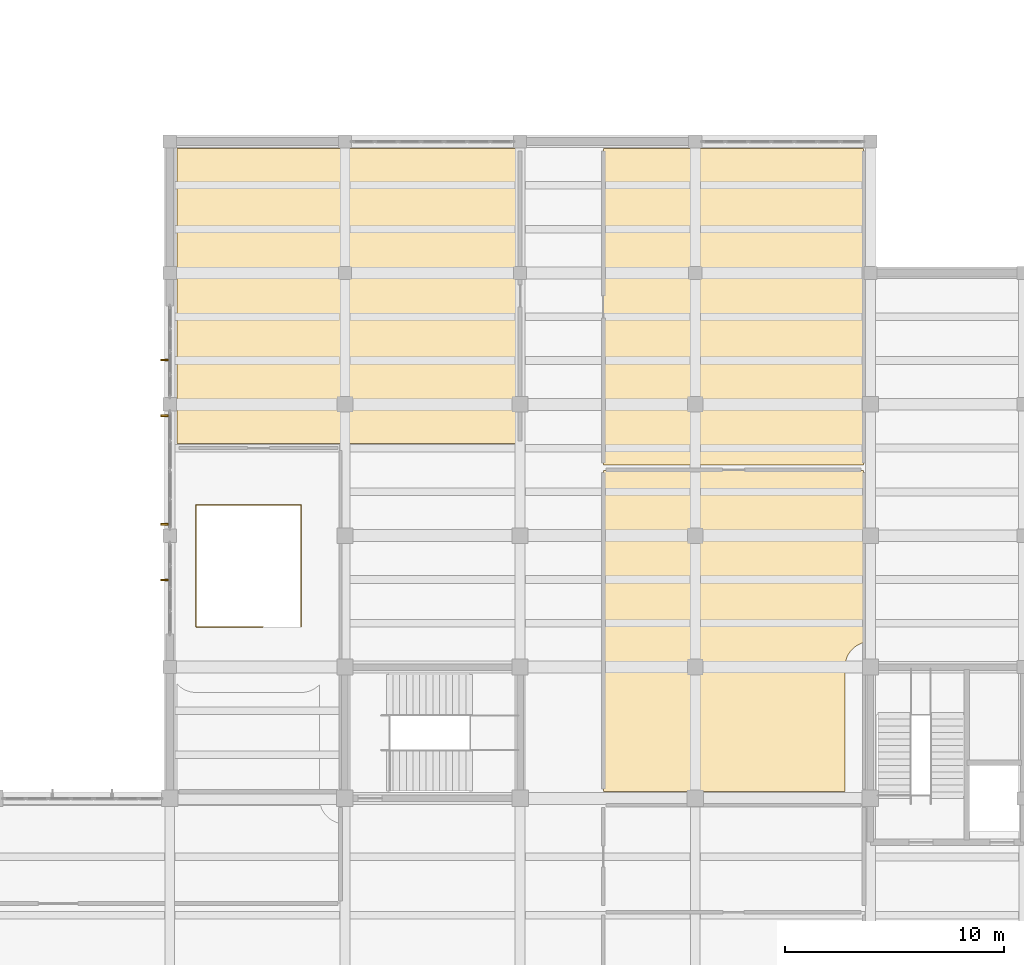
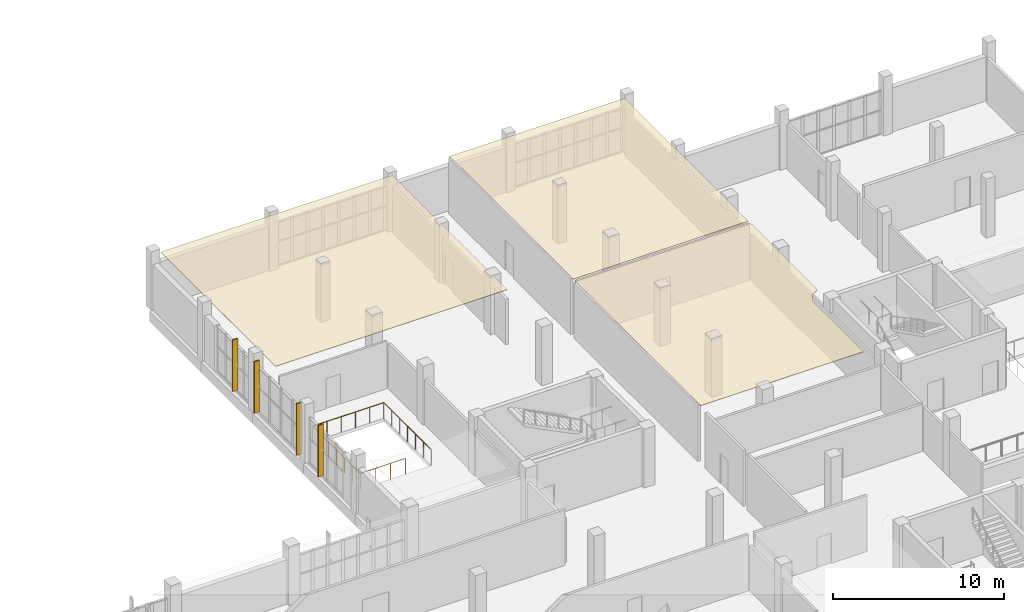
# One storey, part 80 of 85: 4 shading devices, 3 coverings, 1 railing.
"""IFC4 building model written with IfcOpenShell, lengths in metres."""

from ifc_helpers import new_model, si_unit, direction, frame, origin, origin_2d, place, context, subcontext, project, spatial, polyline, rectangle, circle, outline, extrude, material, layer, layer_set, type_object, element, save


model = new_model("IFC4")

# Units and contexts
model_context = context("Model", 3, precision=1e-05, world=origin(), true_north=direction((0.0, 1.0)))
body_context = subcontext(model_context, "Body", "Model", "MODEL_VIEW")
ifc_project = project(units=[si_unit("LENGTHUNIT", "METRE"), si_unit("AREAUNIT", "SQUARE_METRE"), si_unit("VOLUMEUNIT", "CUBIC_METRE"), si_unit("PLANEANGLEUNIT", "RADIAN"), si_unit("MASSUNIT", "GRAM", prefix="KILO")], contexts=[model_context])

# Site, building, storey
site_placement = place(None, origin())
site = spatial("IfcSite", under=ifc_project, at=site_placement, CompositionType="ELEMENT")
building_placement = place(site_placement, origin())
building = spatial("IfcBuilding", under=site, at=building_placement, Name="Solvane Community Centre", CompositionType="ELEMENT")
storey_placement = place(building_placement, frame((0.0, 0.0, 5.39990234375)))
storey = spatial("IfcBuildingStorey", under=building, at=storey_placement, Name="L01", CompositionType="ELEMENT", Elevation=5.39990234375)

# Coverings
ifc_material_1 = material(Name="Acoustic timber slat ceiling", Category="wood")
ifc_layer = layer(ifc_material_1, 0.0400390625)
ifc_layer_set = layer_set([ifc_layer], Name="Acoustic timber slat ceiling")
covering_type = type_object("IfcCoveringType", Name="Acoustic Timber Slat Suspended Ceiling", PredefinedType="CEILING", material=ifc_layer_set)
covering_1_placement = place(storey_placement, frame((0.0, 0.0, 3.955078125)))
element("IfcCovering", 1, at=covering_1_placement, inside=storey, type_object=covering_type, Name="Acoustic Ceiling L01-25", PredefinedType="CEILING", context=body_context, shape_type="SweptSolid", body=[
    extrude(outline(polyline([(108.320068359375, 46.219970703125), (108.320068359375, 59.679931640625), (123.97998046875, 59.679931640625), (123.97998046875, 46.219970703125), (108.320068359375, 46.219970703125)])), origin(), (0.0, 0.0, 1.0), 0.0400390625),
])
covering_2_placement = place(storey_placement, frame((0.0, 0.0, 3.955078125)))
element("IfcCovering", 2, at=covering_2_placement, inside=storey, type_object=covering_type, Name="Acoustic Ceiling L01-26", PredefinedType="CEILING", context=body_context, shape_type="SweptSolid", body=[
    extrude(outline(polyline([(127.820068359375, 30.320068359375), (127.820068359375, 44.97998046875), (139.679931640625, 44.97998046875), (139.679931640625, 37.114013671875), (139.61669921875, 37.0947265625), (139.601806640625, 37.08935546875), (139.51123046875, 37.0517578125), (139.4970703125, 37.045166015625), (139.410400390625, 36.998779296875), (139.39697265625, 36.99072265625), (139.3154296875, 36.936279296875), (139.302734375, 36.927001953125), (139.226806640625, 36.864501953125), (139.21533203125, 36.85400390625), (139.14599609375, 36.78466796875), (139.135498046875, 36.773193359375), (139.072998046875, 36.697265625), (139.063720703125, 36.6845703125), (139.00927734375, 36.60302734375), (139.001220703125, 36.589599609375), (138.954833984375, 36.5029296875), (138.9482421875, 36.48876953125), (138.91064453125, 36.398193359375), (138.9052734375, 36.38330078125), (138.876953125, 36.289306640625), (138.873046875, 36.274169921875), (138.85400390625, 36.177978515625), (138.8515625, 36.162353515625), (138.842041015625, 36.064697265625), (138.84130859375, 36.049072265625), (138.840087890625, 36.0), (138.840087890625, 30.320068359375), (127.820068359375, 30.320068359375)])), origin(), (0.0, 0.0, 1.0), 0.0400390625),
])
covering_3_placement = place(storey_placement, frame((0.0, 0.0, 3.955078125)))
element("IfcCovering", 3, at=covering_3_placement, inside=storey, type_object=covering_type, Name="Acoustic Ceiling L01-27", PredefinedType="CEILING", context=body_context, shape_type="SweptSolid", body=[
    extrude(outline(polyline([(127.820068359375, 45.219970703125), (127.820068359375, 59.679931640625), (139.679931640625, 59.679931640625), (139.679931640625, 45.219970703125), (127.820068359375, 45.219970703125)])), origin(), (0.0, 0.0, 1.0), 0.0400390625),
])

# Shading devices
ifc_material_2 = material(Name="Anodised bronze aluminium AW-6063 T6", Category="aluminium")
shading_device_type = type_object("IfcShadingDeviceType", Name="Art Deco Bronze Solar Fin 80x360", PredefinedType="USERDEFINED", material=ifc_material_2)
shading_device_1_placement = place(storey_placement, frame((107.760009765625, 39.97509765625, 0.14990234375), z_axis=(0.0, 0.0, 1.0), x_axis=(0.0, 1.0, 0.0)))
element("IfcShadingDevice", 4, at=shading_device_1_placement, inside=storey, type_object=shading_device_type, Name="Solar Brise-Soleil Fin 63", ObjectType="Solar Brise-Soleil Fin 63", PredefinedType="USERDEFINED", context=body_context, shape_type="SweptSolid", body=[
    extrude(rectangle(XDim=0.080078125, YDim=0.360107421875, at=origin_2d()), origin(), (0.0, 0.0, 1.0), 3.679931640625),
])
shading_device_2_placement = place(storey_placement, frame((107.760009765625, 42.52490234375, 0.14990234375), z_axis=(0.0, 0.0, 1.0), x_axis=(0.0, 1.0, 0.0)))
element("IfcShadingDevice", 5, at=shading_device_2_placement, inside=storey, type_object=shading_device_type, Name="Solar Brise-Soleil Fin 64", ObjectType="Solar Brise-Soleil Fin 64", PredefinedType="USERDEFINED", context=body_context, shape_type="SweptSolid", body=[
    extrude(rectangle(XDim=0.080078125, YDim=0.360107421875, at=origin_2d()), origin(), (0.0, 0.0, 1.0), 3.679931640625),
])
shading_device_3_placement = place(storey_placement, frame((107.760009765625, 47.47509765625, 0.14990234375), z_axis=(0.0, 0.0, 1.0), x_axis=(0.0, 1.0, 0.0)))
element("IfcShadingDevice", 6, at=shading_device_3_placement, inside=storey, type_object=shading_device_type, Name="Solar Brise-Soleil Fin 65", ObjectType="Solar Brise-Soleil Fin 65", PredefinedType="USERDEFINED", context=body_context, shape_type="SweptSolid", body=[
    extrude(rectangle(XDim=0.080078125, YDim=0.360107421875, at=origin_2d()), origin(), (0.0, 0.0, 1.0), 3.679931640625),
])
shading_device_4_placement = place(storey_placement, frame((107.760009765625, 50.02490234375, 0.14990234375), z_axis=(0.0, 0.0, 1.0), x_axis=(0.0, 1.0, 0.0)))
element("IfcShadingDevice", 7, at=shading_device_4_placement, inside=storey, type_object=shading_device_type, Name="Solar Brise-Soleil Fin 66", ObjectType="Solar Brise-Soleil Fin 66", PredefinedType="USERDEFINED", context=body_context, shape_type="SweptSolid", body=[
    extrude(rectangle(XDim=0.080078125, YDim=0.360107421875, at=origin_2d()), origin(), (0.0, 0.0, 1.0), 3.679931640625),
])

# Railing
railing_type = type_object("IfcRailingType", Name="Interior Gallery & Stair Well Guard 1150mm", PredefinedType="BALUSTRADE", material=ifc_material_2)
railing_placement = place(storey_placement, frame((112.25, 37.840087890625, 0.0)))
element("IfcRailing", 8, at=railing_placement, inside=storey, type_object=railing_type, Name="Railing GR-L01-125", PredefinedType="BALUSTRADE", context=body_context, shape_type="SweptSolid", body=[
    extrude(circle(Radius=0.02392578125, at=origin_2d()), frame((0.0, 0.0, 1.1259765625), z_axis=(-1.0, 0.0, 0.0), x_axis=(0.0, -1.0, 0.0)), (0.0, 0.0, 1.0), 3.050048828125),
    extrude(circle(Radius=0.02392578125, at=origin_2d()), frame((-3.050048828125, 0.0, 1.1259765625), z_axis=(0.0, 1.0, 0.0), x_axis=(-1.0, 0.0, 0.0)), (0.0, 0.0, 1.0), 5.559814453125),
    extrude(circle(Radius=0.02392578125, at=origin_2d()), frame((-3.050048828125, 5.559814453125, 1.1259765625), z_axis=(1.0, 0.0, 0.0), x_axis=(0.0, 1.0, 0.0)), (0.0, 0.0, 1.0), 4.800048828125),
    extrude(circle(Radius=0.02392578125, at=origin_2d()), frame((1.75, 5.559814453125, 1.1259765625), z_axis=(0.0, -1.0, 0.0), x_axis=(1.0, 0.0, 0.0)), (0.0, 0.0, 1.0), 5.559814453125),
    extrude(circle(Radius=0.02099609375, at=origin_2d()), origin(), (0.0, 0.0, 1.0), 1.101806640625),
    extrude(circle(Radius=0.02099609375, at=origin_2d()), frame((-1.0166015625, 0.0, 0.0)), (0.0, 0.0, 1.0), 1.101806640625),
    extrude(circle(Radius=0.02099609375, at=origin_2d()), frame((-2.033447265625, 0.0, 0.0)), (0.0, 0.0, 1.0), 1.101806640625),
    extrude(circle(Radius=0.02099609375, at=origin_2d()), frame((-3.050048828125, 0.0, 0.0)), (0.0, 0.0, 1.0), 1.101806640625),
    extrude(circle(Radius=0.02099609375, at=origin_2d()), frame((-3.050048828125, 0.9267578125, 0.0)), (0.0, 0.0, 1.0), 1.101806640625),
    extrude(circle(Radius=0.02099609375, at=origin_2d()), frame((-3.050048828125, 1.853271484375, 0.0)), (0.0, 0.0, 1.0), 1.101806640625),
    extrude(circle(Radius=0.02099609375, at=origin_2d()), frame((-3.050048828125, 2.77978515625, 0.0)), (0.0, 0.0, 1.0), 1.101806640625),
    extrude(circle(Radius=0.02099609375, at=origin_2d()), frame((-3.050048828125, 3.70654296875, 0.0)), (0.0, 0.0, 1.0), 1.101806640625),
    extrude(circle(Radius=0.02099609375, at=origin_2d()), frame((-3.050048828125, 4.63330078125, 0.0)), (0.0, 0.0, 1.0), 1.101806640625),
    extrude(circle(Radius=0.02099609375, at=origin_2d()), frame((-3.050048828125, 5.559814453125, 0.0)), (0.0, 0.0, 1.0), 1.101806640625),
    extrude(circle(Radius=0.02099609375, at=origin_2d()), frame((-2.090087890625, 5.559814453125, 0.0)), (0.0, 0.0, 1.0), 1.101806640625),
    extrude(circle(Radius=0.02099609375, at=origin_2d()), frame((-1.130126953125, 5.559814453125, 0.0)), (0.0, 0.0, 1.0), 1.101806640625),
    extrude(circle(Radius=0.02099609375, at=origin_2d()), frame((-0.169921875, 5.559814453125, 0.0)), (0.0, 0.0, 1.0), 1.101806640625),
    extrude(circle(Radius=0.02099609375, at=origin_2d()), frame((0.7900390625, 5.559814453125, 0.0)), (0.0, 0.0, 1.0), 1.101806640625),
    extrude(circle(Radius=0.02099609375, at=origin_2d()), frame((1.75, 5.559814453125, 0.0)), (0.0, 0.0, 1.0), 1.101806640625),
    extrude(circle(Radius=0.02099609375, at=origin_2d()), frame((1.75, 4.63330078125, 0.0)), (0.0, 0.0, 1.0), 1.101806640625),
    extrude(circle(Radius=0.02099609375, at=origin_2d()), frame((1.75, 3.70654296875, 0.0)), (0.0, 0.0, 1.0), 1.101806640625),
    extrude(circle(Radius=0.02099609375, at=origin_2d()), frame((1.75, 2.77978515625, 0.0)), (0.0, 0.0, 1.0), 1.101806640625),
    extrude(circle(Radius=0.02099609375, at=origin_2d()), frame((1.75, 1.853271484375, 0.0)), (0.0, 0.0, 1.0), 1.101806640625),
    extrude(circle(Radius=0.02099609375, at=origin_2d()), frame((1.75, 0.9267578125, 0.0)), (0.0, 0.0, 1.0), 1.101806640625),
    extrude(circle(Radius=0.02099609375, at=origin_2d()), frame((1.75, 0.0, 0.0)), (0.0, 0.0, 1.0), 1.101806640625),
])

save(model, "model.ifc")
